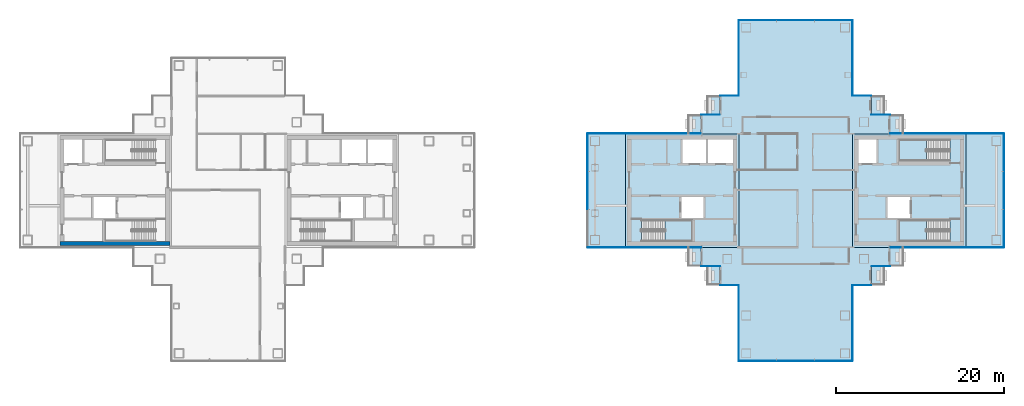
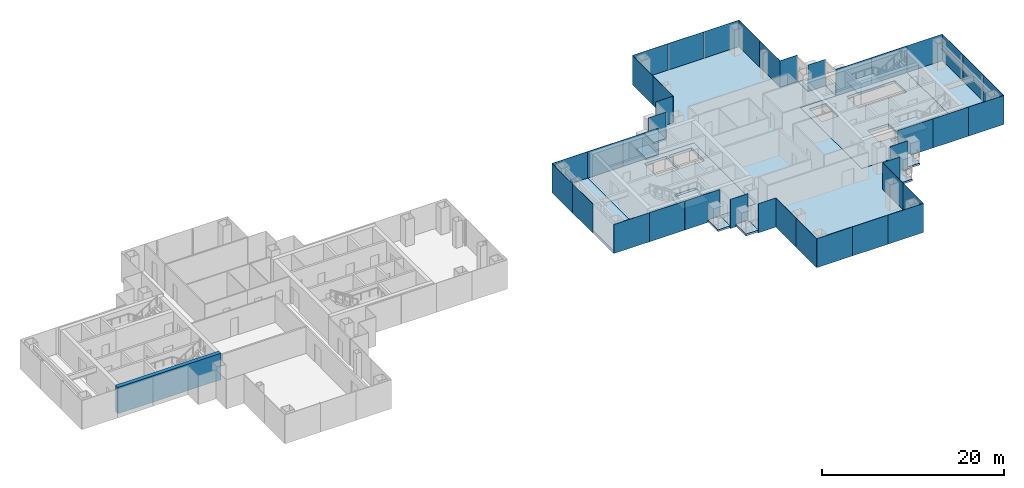
# One storey, part 8 of 16: 39 plates, 16 slabs, 1 wall, 23 elements without a shape of their own.
"""IFC4 building model written with IfcOpenShell, lengths in metres."""

from ifc_helpers import new_model, si_unit, direction, frame, frame_2d, origin, origin_2d, place, context, subcontext, project, spatial, polyline, rectangle, outline, extrude, material, layer, layer_set, type_object, element, aggregate, save


model = new_model("IFC4")

# Units and contexts
model_context = context("Model", 3, precision=1e-05, world=origin(), true_north=direction((0.0, 1.0)))
body_context = subcontext(model_context, "Body", "Model", "MODEL_VIEW")
ifc_project = project(units=[si_unit("LENGTHUNIT", "METRE"), si_unit("AREAUNIT", "SQUARE_METRE"), si_unit("VOLUMEUNIT", "CUBIC_METRE"), si_unit("PLANEANGLEUNIT", "RADIAN"), si_unit("MASSUNIT", "GRAM", prefix="KILO")], contexts=[model_context])

# Site, building, storey
site_placement = place(None, origin())
site = spatial("IfcSite", under=ifc_project, at=site_placement, CompositionType="ELEMENT")
building_placement = place(site_placement, origin())
building = spatial("IfcBuilding", under=site, at=building_placement, Name="Shamsa Quay Exchange Towers", CompositionType="ELEMENT")
storey_placement = place(building_placement, frame((0.0, 0.0, 138.89990234375)))
storey = spatial("IfcBuildingStorey", under=building, at=storey_placement, Name="L32", CompositionType="ELEMENT", Elevation=138.89990234375)

# Slabs
ifc_material_1 = material(Name="Precast concrete C40/50", Category="concrete")
ifc_layer_1 = layer(ifc_material_1, 0.25)
ifc_layer_set_1 = layer_set([ifc_layer_1], Name="BALCONY SLAB 250")
slab_type_1 = type_object("IfcSlabType", Name="BALCONY SLAB 250", PredefinedType="FLOOR", material=ifc_layer_set_1)
slab_1_placement = place(storey_placement, frame((0.0, 0.0, -0.25)))
element("IfcSlab", 1, at=slab_1_placement, inside=storey, type_object=slab_type_1, Name="Balcony T2-PKEN L32", PredefinedType="FLOOR", context=body_context, shape_type="SweptSolid", body=[
    extrude(outline(polyline([(24.75, 11.25), (24.75, 9.0380859375), (23.199951171875, 9.0380859375), (23.199951171875, 11.25), (24.75, 11.25)])), origin(), (0.0, 0.0, 1.0), 0.25),
])
slab_2_placement = place(storey_placement, frame((0.0, 0.0, -0.25)))
element("IfcSlab", 2, at=slab_2_placement, inside=storey, type_object=slab_type_1, Name="Balcony T2-PKEN L32", PredefinedType="FLOOR", context=body_context, shape_type="SweptSolid", body=[
    extrude(outline(polyline([(22.5, 9.0), (22.5, 6.7880859375), (20.949951171875, 6.7880859375), (20.949951171875, 9.0), (22.5, 9.0)])), origin(), (0.0, 0.0, 1.0), 0.25),
])
slab_3_placement = place(storey_placement, frame((0.0, 0.0, -0.25)))
element("IfcSlab", 3, at=slab_3_placement, inside=storey, type_object=slab_type_1, Name="Balcony T2-PKES L32", PredefinedType="FLOOR", context=body_context, shape_type="SweptSolid", body=[
    extrude(outline(polyline([(42.75, 9.0380859375), (42.75, 11.25), (44.300048828125, 11.25), (44.300048828125, 9.0380859375), (42.75, 9.0380859375)])), origin(), (0.0, 0.0, 1.0), 0.25),
])
slab_4_placement = place(storey_placement, frame((0.0, 0.0, -0.25)))
element("IfcSlab", 4, at=slab_4_placement, inside=storey, type_object=slab_type_1, Name="Balcony T2-PKES L32", PredefinedType="FLOOR", context=body_context, shape_type="SweptSolid", body=[
    extrude(outline(polyline([(45.0, 6.7880859375), (45.0, 9.0), (46.550048828125, 9.0), (46.550048828125, 6.7880859375), (45.0, 6.7880859375)])), origin(), (0.0, 0.0, 1.0), 0.25),
])
slab_5_placement = place(storey_placement, frame((0.0, 0.0, -0.25)))
element("IfcSlab", 5, at=slab_5_placement, inside=storey, type_object=slab_type_1, Name="Balcony T2-PKWN L32", PredefinedType="FLOOR", context=body_context, shape_type="SweptSolid", body=[
    extrude(outline(polyline([(22.5, -6.7880859375), (22.5, -9.0), (20.949951171875, -9.0), (20.949951171875, -6.7880859375), (22.5, -6.7880859375)])), origin(), (0.0, 0.0, 1.0), 0.25),
])
slab_6_placement = place(storey_placement, frame((0.0, 0.0, -0.25)))
element("IfcSlab", 6, at=slab_6_placement, inside=storey, type_object=slab_type_1, Name="Balcony T2-PKWN L32", PredefinedType="FLOOR", context=body_context, shape_type="SweptSolid", body=[
    extrude(outline(polyline([(24.75, -9.0380859375), (24.75, -11.25), (23.199951171875, -11.25), (23.199951171875, -9.0380859375), (24.75, -9.0380859375)])), origin(), (0.0, 0.0, 1.0), 0.25),
])
slab_7_placement = place(storey_placement, frame((0.0, 0.0, -0.25)))
element("IfcSlab", 7, at=slab_7_placement, inside=storey, type_object=slab_type_1, Name="Balcony T2-PKWS L32", PredefinedType="FLOOR", context=body_context, shape_type="SweptSolid", body=[
    extrude(outline(polyline([(42.75, -11.25), (42.75, -9.0380859375), (44.300048828125, -9.0380859375), (44.300048828125, -11.25), (42.75, -11.25)])), origin(), (0.0, 0.0, 1.0), 0.25),
])
slab_8_placement = place(storey_placement, frame((0.0, 0.0, -0.25)))
element("IfcSlab", 8, at=slab_8_placement, inside=storey, type_object=slab_type_1, Name="Balcony T2-PKWS L32", PredefinedType="FLOOR", context=body_context, shape_type="SweptSolid", body=[
    extrude(outline(polyline([(45.0, -9.0), (45.0, -6.7880859375), (46.550048828125, -6.7880859375), (46.550048828125, -9.0), (45.0, -9.0)])), origin(), (0.0, 0.0, 1.0), 0.25),
])
ifc_material_2 = material(Name="Concrete C50/60", Category="concrete")
ifc_layer_2 = layer(ifc_material_2, 0.35009765625)
ifc_layer_set_2 = layer_set([ifc_layer_2], Name="CORE FLOOR 350 C50/60")
slab_type_2 = type_object("IfcSlabType", Name="CORE FLOOR 350 C50/60", PredefinedType="FLOOR", material=ifc_layer_set_2)
slab_9_placement = place(storey_placement, frame((0.0, 0.0, -0.349853515625)))
element("IfcSlab", 9, at=slab_9_placement, inside=storey, type_object=slab_type_2, Name="Core floor T2A", PredefinedType="FLOOR", context=body_context, shape_type="SweptSolid", body=[
    extrude(outline(polyline([(13.5, -6.75), (27.0, -6.75), (27.0, 6.75), (13.5, 6.75), (13.5, -6.75)]), holes=[polyline([(15.400634765625, -6.050048828125), (15.400634765625, -3.5), (21.5, -3.5), (21.5, -6.050048828125), (15.400634765625, -6.050048828125)]), polyline([(20.300048828125, 3.25), (20.300048828125, 6.050048828125), (23.10009765625, 6.050048828125), (23.10009765625, 3.25), (20.300048828125, 3.25)]), polyline([(23.35009765625, 3.25), (23.35009765625, 6.050048828125), (26.300048828125, 6.050048828125), (26.300048828125, 3.25), (23.35009765625, 3.25)]), polyline([(20.14990234375, -3.25), (20.14990234375, -0.75), (22.800048828125, -0.75), (22.800048828125, -3.25), (20.14990234375, -3.25)])]), origin(), (0.0, 0.0, 1.0), 0.349853515625),
])
slab_10_placement = place(storey_placement, frame((0.0, 0.0, -0.349853515625)))
element("IfcSlab", 10, at=slab_10_placement, inside=storey, type_object=slab_type_2, Name="Core floor T2B", PredefinedType="FLOOR", context=body_context, shape_type="SweptSolid", body=[
    extrude(outline(polyline([(54.0, -6.75), (54.0, 6.75), (40.5, 6.75), (40.5, -6.75), (54.0, -6.75)]), holes=[polyline([(52.099365234375, -3.5), (52.099365234375, -6.050048828125), (46.0, -6.050048828125), (46.0, -3.5), (52.099365234375, -3.5)]), polyline([(52.099365234375, 6.050048828125), (52.099365234375, 3.5), (46.0, 3.5), (46.0, 6.050048828125), (52.099365234375, 6.050048828125)]), polyline([(43.35009765625, 3.25), (41.199951171875, 3.25), (41.199951171875, 6.050048828125), (43.35009765625, 6.050048828125), (43.35009765625, 3.25)]), polyline([(47.35009765625, -3.25), (44.699951171875, -3.25), (44.699951171875, -0.75), (47.35009765625, -0.75), (47.35009765625, -3.25)])]), origin(), (0.0, 0.0, 1.0), 0.349853515625),
])

# Stair, slab
ifc_material_3 = material(Name="Concrete C40/50", Category="concrete")
stair_type = type_object("IfcStairType", Name="EXIT STAIR 22 RISERS 177 MM", PredefinedType="HALF_TURN_STAIR", material=ifc_material_3)
stair_1_placement = place(storey_placement, origin())
stair_1 = element("IfcStair", 11, at=stair_1_placement, inside=storey, type_object=stair_type, Name="L32 Exit stair ST4", PredefinedType="HALF_TURN_STAIR")
ifc_layer_3 = layer(ifc_material_3, 0.199951171875)
ifc_layer_set_3 = layer_set([ifc_layer_3], Name="CORE STAIR LANDING")
slab_type_3 = type_object("IfcSlabType", Name="CORE STAIR LANDING", PredefinedType="LANDING", material=ifc_layer_set_3)
slab_11_placement = place(storey_placement, frame((0.0, 0.0, 1.75)))
slab_11 = element("IfcSlab", 12, at=slab_11_placement, type_object=slab_type_3, Name="ST4 landing 1", PredefinedType="LANDING", context=body_context, shape_type="SweptSolid", body=[
    extrude(outline(polyline([(18.199951171875, -6.050048828125), (21.5, -6.050048828125), (21.5, -3.5), (18.199951171875, -3.5), (18.199951171875, -6.050048828125)])), origin(), (0.0, 0.0, 1.0), 0.2001953125),
])
aggregate(stair_1, [slab_11])

stair_2_placement = place(storey_placement, origin())
stair_2 = element("IfcStair", 13, at=stair_2_placement, inside=storey, type_object=stair_type, Name="L32 Exit stair ST5", PredefinedType="HALF_TURN_STAIR")
slab_12_placement = place(storey_placement, frame((0.0, 0.0, 1.75)))
slab_12 = element("IfcSlab", 14, at=slab_12_placement, type_object=slab_type_3, Name="ST5 landing 1", PredefinedType="LANDING", context=body_context, shape_type="SweptSolid", body=[
    extrude(outline(polyline([(49.300048828125, -3.5), (46.0, -3.5), (46.0, -6.050048828125), (49.300048828125, -6.050048828125), (49.300048828125, -3.5)])), origin(), (0.0, 0.0, 1.0), 0.2001953125),
])
aggregate(stair_2, [slab_12])

stair_3_placement = place(storey_placement, origin())
stair_3 = element("IfcStair", 15, at=stair_3_placement, inside=storey, type_object=stair_type, Name="L32 Exit stair ST6", PredefinedType="HALF_TURN_STAIR")
slab_13_placement = place(storey_placement, frame((0.0, 0.0, 1.75)))
slab_13 = element("IfcSlab", 16, at=slab_13_placement, type_object=slab_type_3, Name="ST6 landing 1", PredefinedType="LANDING", context=body_context, shape_type="SweptSolid", body=[
    extrude(outline(polyline([(49.300048828125, 6.050048828125), (46.0, 6.050048828125), (46.0, 3.5), (49.300048828125, 3.5), (49.300048828125, 6.050048828125)])), origin(), (0.0, 0.0, 1.0), 0.2001953125),
])
aggregate(stair_3, [slab_13])

# Curtain wall, plate
ifc_material_4 = material(Name="Aluminium EN AW-6063 T6, black anodised", Category="aluminium")
ifc_layer_4 = layer(ifc_material_4, 0.280029296875)
ifc_layer_set_4 = layer_set([ifc_layer_4], Name="CW-1 UNITISED VISION GLASS")
curtain_wall_type_1 = type_object("IfcCurtainWallType", Name="CW-1 UNITISED VISION GLASS", PredefinedType="NOTDEFINED", material=ifc_layer_set_4)
curtain_wall_1_placement = place(storey_placement, origin())
curtain_wall_1 = element("IfcCurtainWall", 17, at=curtain_wall_1_placement, inside=storey, type_object=curtain_wall_type_1, Name="CW1 T2-FLK-V-W L32", PredefinedType="NOTDEFINED")
ifc_material_5 = material(Name="Glass, laminated, dark tinted", Category="glass")
ifc_layer_5 = layer(ifc_material_5, 0.0400390625)
ifc_layer_set_5 = layer_set([ifc_layer_5], Name="CW-1 VISION GLASS 40")
plate_type_1 = type_object("IfcPlateType", Name="CW-1 VISION GLASS 40", PredefinedType="CURTAIN_PANEL", material=ifc_layer_set_5)
plate_1_placement = place(storey_placement, frame((56.25, -6.77001953125, -0.349853515625)))
plate_1 = element("IfcPlate", 18, at=plate_1_placement, type_object=plate_type_1, Name="CW1 glass panel", PredefinedType="CURTAIN_PANEL", context=body_context, shape_type="SweptSolid", body=[
    extrude(rectangle(XDim=4.5, YDim=0.0400390625, at=origin_2d()), origin(), (0.0, 0.0, 1.0), 3.89990234375),
])
aggregate(curtain_wall_1, [plate_1])

# Curtain wall, plates
curtain_wall_2_placement = place(storey_placement, origin())
curtain_wall_2 = element("IfcCurtainWall", 19, at=curtain_wall_2_placement, inside=storey, type_object=curtain_wall_type_1, Name="CW1 T2-END-V- L32", PredefinedType="NOTDEFINED")
plate_2_placement = place(storey_placement, frame((58.52001953125, -4.50244140625, -0.349853515625), z_axis=(0.0, 0.0, 1.0), x_axis=(0.0, 1.0, 0.0)))
plate_2 = element("IfcPlate", 20, at=plate_2_placement, type_object=plate_type_1, Name="CW1 glass panel", PredefinedType="CURTAIN_PANEL", context=body_context, shape_type="SweptSolid", body=[
    extrude(rectangle(XDim=4.4951171875, YDim=0.0400390625, at=origin_2d()), origin(), (0.0, 0.0, 1.0), 3.89990234375),
])
plate_3_placement = place(storey_placement, frame((58.52001953125, 0.0, -0.349853515625), z_axis=(0.0, 0.0, 1.0), x_axis=(0.0, 1.0, 0.0)))
plate_3 = element("IfcPlate", 21, at=plate_3_placement, type_object=plate_type_1, Name="CW1 glass panel", PredefinedType="CURTAIN_PANEL", context=body_context, shape_type="SweptSolid", body=[
    extrude(rectangle(XDim=4.489990234375, YDim=0.0400390625, at=origin_2d()), origin(), (0.0, 0.0, 1.0), 3.89990234375),
])
plate_4_placement = place(storey_placement, frame((58.52001953125, 4.50244140625, -0.349853515625), z_axis=(0.0, 0.0, 1.0), x_axis=(0.0, 1.0, 0.0)))
plate_4 = element("IfcPlate", 22, at=plate_4_placement, type_object=plate_type_1, Name="CW1 glass panel", PredefinedType="CURTAIN_PANEL", context=body_context, shape_type="SweptSolid", body=[
    extrude(rectangle(XDim=4.4951171875, YDim=0.0400390625, at=origin_2d()), origin(), (0.0, 0.0, 1.0), 3.89990234375),
])
aggregate(curtain_wall_2, [plate_2, plate_3, plate_4])

# Curtain wall, plate
curtain_wall_3_placement = place(storey_placement, origin())
curtain_wall_3 = element("IfcCurtainWall", 23, at=curtain_wall_3_placement, inside=storey, type_object=curtain_wall_type_1, Name="CW1 T2-FLK-V-E L32", PredefinedType="NOTDEFINED")
plate_5_placement = place(storey_placement, frame((56.25, 6.77001953125, -0.349853515625), z_axis=(0.0, 0.0, 1.0), x_axis=(-1.0, 0.0, 0.0)))
plate_5 = element("IfcPlate", 24, at=plate_5_placement, type_object=plate_type_1, Name="CW1 glass panel", PredefinedType="CURTAIN_PANEL", context=body_context, shape_type="SweptSolid", body=[
    extrude(rectangle(XDim=4.5, YDim=0.0400390625, at=origin_2d()), origin(), (0.0, 0.0, 1.0), 3.89990234375),
])
aggregate(curtain_wall_3, [plate_5])

# Curtain wall, plates
curtain_wall_4_placement = place(storey_placement, origin())
curtain_wall_4 = element("IfcCurtainWall", 25, at=curtain_wall_4_placement, inside=storey, type_object=curtain_wall_type_1, Name="CW1 T2-FLK-U+S L32", PredefinedType="NOTDEFINED")
plate_6_placement = place(storey_placement, frame((40.52001953125, 13.52587890625, -0.349853515625), z_axis=(0.0, 0.0, 1.0), x_axis=(0.0, 1.0, 0.0)))
plate_6 = element("IfcPlate", 26, at=plate_6_placement, type_object=plate_type_1, Name="CW1 glass panel", PredefinedType="CURTAIN_PANEL", context=body_context, shape_type="SweptSolid", body=[
    extrude(rectangle(XDim=4.47607421875, YDim=0.0400390625, at=origin_2d()), origin(), (0.0, 0.0, 1.0), 3.89990234375),
])
plate_7_placement = place(storey_placement, frame((40.52001953125, 18.011962890625, -0.349853515625), z_axis=(0.0, 0.0, 1.0), x_axis=(0.0, 1.0, 0.0)))
plate_7 = element("IfcPlate", 27, at=plate_7_placement, type_object=plate_type_1, Name="CW1 glass panel", PredefinedType="CURTAIN_PANEL", context=body_context, shape_type="SweptSolid", body=[
    extrude(rectangle(XDim=4.47607421875, YDim=0.0400390625, at=origin_2d()), origin(), (0.0, 0.0, 1.0), 3.89990234375),
])
aggregate(curtain_wall_4, [plate_6, plate_7])

curtain_wall_5_placement = place(storey_placement, origin())
curtain_wall_5 = element("IfcCurtainWall", 28, at=curtain_wall_5_placement, inside=storey, type_object=curtain_wall_type_1, Name="CW1 T2-END-U+ L32", PredefinedType="NOTDEFINED")
plate_8_placement = place(storey_placement, frame((38.25244140625, 20.27001953125, -0.349853515625), z_axis=(0.0, 0.0, 1.0), x_axis=(-1.0, 0.0, 0.0)))
plate_8 = element("IfcPlate", 29, at=plate_8_placement, type_object=plate_type_1, Name="CW1 glass panel", PredefinedType="CURTAIN_PANEL", context=body_context, shape_type="SweptSolid", body=[
    extrude(rectangle(XDim=4.4951171875, YDim=0.0400390625, at=origin_2d()), origin(), (0.0, 0.0, 1.0), 3.89990234375),
])
plate_9_placement = place(storey_placement, frame((33.75, 20.27001953125, -0.349853515625), z_axis=(0.0, 0.0, 1.0), x_axis=(-1.0, 0.0, 0.0)))
plate_9 = element("IfcPlate", 30, at=plate_9_placement, type_object=plate_type_1, Name="CW1 glass panel", PredefinedType="CURTAIN_PANEL", context=body_context, shape_type="SweptSolid", body=[
    extrude(rectangle(XDim=4.489990234375, YDim=0.0400390625, at=origin_2d()), origin(), (0.0, 0.0, 1.0), 3.89990234375),
])
plate_10_placement = place(storey_placement, frame((29.24755859375, 20.27001953125, -0.349853515625), z_axis=(0.0, 0.0, 1.0), x_axis=(-1.0, 0.0, 0.0)))
plate_10 = element("IfcPlate", 31, at=plate_10_placement, type_object=plate_type_1, Name="CW1 glass panel", PredefinedType="CURTAIN_PANEL", context=body_context, shape_type="SweptSolid", body=[
    extrude(rectangle(XDim=4.4951171875, YDim=0.0400390625, at=origin_2d()), origin(), (0.0, 0.0, 1.0), 3.89990234375),
])
aggregate(curtain_wall_5, [plate_8, plate_9, plate_10])

curtain_wall_6_placement = place(storey_placement, origin())
curtain_wall_6 = element("IfcCurtainWall", 32, at=curtain_wall_6_placement, inside=storey, type_object=curtain_wall_type_1, Name="CW1 T2-FLK-U+N L32", PredefinedType="NOTDEFINED")
plate_11_placement = place(storey_placement, frame((26.97998046875, 18.00244140625, -0.349853515625), z_axis=(0.0, 0.0, 1.0), x_axis=(0.0, -1.0, 0.0)))
plate_11 = element("IfcPlate", 33, at=plate_11_placement, type_object=plate_type_1, Name="CW1 glass panel", PredefinedType="CURTAIN_PANEL", context=body_context, shape_type="SweptSolid", body=[
    extrude(rectangle(XDim=4.4951171875, YDim=0.0400390625, at=origin_2d()), origin(), (0.0, 0.0, 1.0), 3.89990234375),
])
plate_12_placement = place(storey_placement, frame((26.97998046875, 13.49755859375, -0.349853515625), z_axis=(0.0, 0.0, 1.0), x_axis=(0.0, -1.0, 0.0)))
plate_12 = element("IfcPlate", 34, at=plate_12_placement, type_object=plate_type_1, Name="CW1 glass panel", PredefinedType="CURTAIN_PANEL", context=body_context, shape_type="SweptSolid", body=[
    extrude(rectangle(XDim=4.4951171875, YDim=0.0400390625, at=origin_2d()), origin(), (0.0, 0.0, 1.0), 3.89990234375),
])
aggregate(curtain_wall_6, [plate_11, plate_12])

# Curtain wall, plate
curtain_wall_7_placement = place(storey_placement, origin())
curtain_wall_7 = element("IfcCurtainWall", 35, at=curtain_wall_7_placement, inside=storey, type_object=curtain_wall_type_1, Name="CW1 T2-FLK-V+E L32", PredefinedType="NOTDEFINED")
plate_13_placement = place(storey_placement, frame((11.25, 6.77001953125, -0.349853515625), z_axis=(0.0, 0.0, 1.0), x_axis=(-1.0, 0.0, 0.0)))
plate_13 = element("IfcPlate", 36, at=plate_13_placement, type_object=plate_type_1, Name="CW1 glass panel", PredefinedType="CURTAIN_PANEL", context=body_context, shape_type="SweptSolid", body=[
    extrude(rectangle(XDim=4.5, YDim=0.0400390625, at=origin_2d()), origin(), (0.0, 0.0, 1.0), 3.89990234375),
])
aggregate(curtain_wall_7, [plate_13])

# Curtain wall, plates
curtain_wall_8_placement = place(storey_placement, origin())
curtain_wall_8 = element("IfcCurtainWall", 37, at=curtain_wall_8_placement, inside=storey, type_object=curtain_wall_type_1, Name="CW1 T2-END-V+ L32", PredefinedType="NOTDEFINED")
plate_14_placement = place(storey_placement, frame((8.97998046875, 4.50244140625, -0.349853515625), z_axis=(0.0, 0.0, 1.0), x_axis=(0.0, -1.0, 0.0)))
plate_14 = element("IfcPlate", 38, at=plate_14_placement, type_object=plate_type_1, Name="CW1 glass panel", PredefinedType="CURTAIN_PANEL", context=body_context, shape_type="SweptSolid", body=[
    extrude(rectangle(XDim=4.4951171875, YDim=0.0400390625, at=origin_2d()), origin(), (0.0, 0.0, 1.0), 3.89990234375),
])
plate_15_placement = place(storey_placement, frame((8.97998046875, 0.0, -0.349853515625), z_axis=(0.0, 0.0, 1.0), x_axis=(0.0, -1.0, 0.0)))
plate_15 = element("IfcPlate", 39, at=plate_15_placement, type_object=plate_type_1, Name="CW1 glass panel", PredefinedType="CURTAIN_PANEL", context=body_context, shape_type="SweptSolid", body=[
    extrude(rectangle(XDim=4.489990234375, YDim=0.0400390625, at=origin_2d()), origin(), (0.0, 0.0, 1.0), 3.89990234375),
])
aggregate(curtain_wall_8, [plate_14, plate_15])

# Curtain wall, plate
curtain_wall_9_placement = place(storey_placement, origin())
curtain_wall_9 = element("IfcCurtainWall", 40, at=curtain_wall_9_placement, inside=storey, type_object=curtain_wall_type_1, Name="CW1 T2-FLK-V+W L32", PredefinedType="NOTDEFINED")
plate_16_placement = place(storey_placement, frame((11.25, -6.77001953125, -0.349853515625)))
plate_16 = element("IfcPlate", 41, at=plate_16_placement, type_object=plate_type_1, Name="CW1 glass panel", PredefinedType="CURTAIN_PANEL", context=body_context, shape_type="SweptSolid", body=[
    extrude(rectangle(XDim=4.5, YDim=0.0400390625, at=origin_2d()), origin(), (0.0, 0.0, 1.0), 3.89990234375),
])
aggregate(curtain_wall_9, [plate_16])

# Curtain wall, plates
curtain_wall_10_placement = place(storey_placement, origin())
curtain_wall_10 = element("IfcCurtainWall", 42, at=curtain_wall_10_placement, inside=storey, type_object=curtain_wall_type_1, Name="CW1 T2-FLK-U-N L32", PredefinedType="NOTDEFINED")
plate_17_placement = place(storey_placement, frame((26.97998046875, -13.52587890625, -0.349853515625), z_axis=(0.0, 0.0, 1.0), x_axis=(0.0, -1.0, 0.0)))
plate_17 = element("IfcPlate", 43, at=plate_17_placement, type_object=plate_type_1, Name="CW1 glass panel", PredefinedType="CURTAIN_PANEL", context=body_context, shape_type="SweptSolid", body=[
    extrude(rectangle(XDim=4.47607421875, YDim=0.0400390625, at=origin_2d()), origin(), (0.0, 0.0, 1.0), 3.89990234375),
])
plate_18_placement = place(storey_placement, frame((26.97998046875, -18.011962890625, -0.349853515625), z_axis=(0.0, 0.0, 1.0), x_axis=(0.0, -1.0, 0.0)))
plate_18 = element("IfcPlate", 44, at=plate_18_placement, type_object=plate_type_1, Name="CW1 glass panel", PredefinedType="CURTAIN_PANEL", context=body_context, shape_type="SweptSolid", body=[
    extrude(rectangle(XDim=4.47607421875, YDim=0.0400390625, at=origin_2d()), origin(), (0.0, 0.0, 1.0), 3.89990234375),
])
aggregate(curtain_wall_10, [plate_17, plate_18])

curtain_wall_11_placement = place(storey_placement, origin())
curtain_wall_11 = element("IfcCurtainWall", 45, at=curtain_wall_11_placement, inside=storey, type_object=curtain_wall_type_1, Name="CW1 T2-END-U- L32", PredefinedType="NOTDEFINED")
plate_19_placement = place(storey_placement, frame((29.24755859375, -20.27001953125, -0.349853515625)))
plate_19 = element("IfcPlate", 46, at=plate_19_placement, type_object=plate_type_1, Name="CW1 glass panel", PredefinedType="CURTAIN_PANEL", context=body_context, shape_type="SweptSolid", body=[
    extrude(rectangle(XDim=4.4951171875, YDim=0.0400390625, at=origin_2d()), origin(), (0.0, 0.0, 1.0), 3.89990234375),
])
plate_20_placement = place(storey_placement, frame((33.75, -20.27001953125, -0.349853515625)))
plate_20 = element("IfcPlate", 47, at=plate_20_placement, type_object=plate_type_1, Name="CW1 glass panel", PredefinedType="CURTAIN_PANEL", context=body_context, shape_type="SweptSolid", body=[
    extrude(rectangle(XDim=4.489990234375, YDim=0.0400390625, at=origin_2d()), origin(), (0.0, 0.0, 1.0), 3.89990234375),
])
plate_21_placement = place(storey_placement, frame((38.25244140625, -20.27001953125, -0.349853515625)))
plate_21 = element("IfcPlate", 48, at=plate_21_placement, type_object=plate_type_1, Name="CW1 glass panel", PredefinedType="CURTAIN_PANEL", context=body_context, shape_type="SweptSolid", body=[
    extrude(rectangle(XDim=4.4951171875, YDim=0.0400390625, at=origin_2d()), origin(), (0.0, 0.0, 1.0), 3.89990234375),
])
aggregate(curtain_wall_11, [plate_19, plate_20, plate_21])

curtain_wall_12_placement = place(storey_placement, origin())
curtain_wall_12 = element("IfcCurtainWall", 49, at=curtain_wall_12_placement, inside=storey, type_object=curtain_wall_type_1, Name="CW1 T2-FLK-U-S L32", PredefinedType="NOTDEFINED")
plate_22_placement = place(storey_placement, frame((40.52001953125, -18.00244140625, -0.349853515625), z_axis=(0.0, 0.0, 1.0), x_axis=(0.0, 1.0, 0.0)))
plate_22 = element("IfcPlate", 50, at=plate_22_placement, type_object=plate_type_1, Name="CW1 glass panel", PredefinedType="CURTAIN_PANEL", context=body_context, shape_type="SweptSolid", body=[
    extrude(rectangle(XDim=4.4951171875, YDim=0.0400390625, at=origin_2d()), origin(), (0.0, 0.0, 1.0), 3.89990234375),
])
plate_23_placement = place(storey_placement, frame((40.52001953125, -13.49755859375, -0.349853515625), z_axis=(0.0, 0.0, 1.0), x_axis=(0.0, 1.0, 0.0)))
plate_23 = element("IfcPlate", 51, at=plate_23_placement, type_object=plate_type_1, Name="CW1 glass panel", PredefinedType="CURTAIN_PANEL", context=body_context, shape_type="SweptSolid", body=[
    extrude(rectangle(XDim=4.4951171875, YDim=0.0400390625, at=origin_2d()), origin(), (0.0, 0.0, 1.0), 3.89990234375),
])
aggregate(curtain_wall_12, [plate_22, plate_23])

ifc_layer_6 = layer(ifc_material_4, 0.303955078125)
ifc_layer_set_6 = layer_set([ifc_layer_6], Name="CW-2 UNITISED OPAQUE SPANDREL GLASS")
curtain_wall_type_2 = type_object("IfcCurtainWallType", Name="CW-2 UNITISED OPAQUE SPANDREL GLASS", PredefinedType="NOTDEFINED", material=ifc_layer_set_6)
curtain_wall_13_placement = place(storey_placement, origin())
curtain_wall_13 = element("IfcCurtainWall", 52, at=curtain_wall_13_placement, inside=storey, type_object=curtain_wall_type_2, Name="CW2 T2-FLK-V-W L32", PredefinedType="NOTDEFINED")
ifc_material_6 = material(Name="Glass, laminated, black enamelled opaque", Category="glass")
ifc_layer_7 = layer(ifc_material_6, 0.0439453125)
ifc_layer_set_7 = layer_set([ifc_layer_7], Name="CW-2 SPANDREL GLASS 44")
plate_type_2 = type_object("IfcPlateType", Name="CW-2 SPANDREL GLASS 44", PredefinedType="CURTAIN_PANEL", material=ifc_layer_set_7)
plate_24_placement = place(storey_placement, frame((47.27587890625, -6.77197265625, -0.349853515625)))
plate_24 = element("IfcPlate", 53, at=plate_24_placement, type_object=plate_type_2, Name="CW2 glass panel", PredefinedType="CURTAIN_PANEL", context=body_context, shape_type="SweptSolid", body=[
    extrude(rectangle(XDim=4.47607421875, YDim=0.0439453125, at=origin_2d()), origin(), (0.0, 0.0, 1.0), 3.89990234375),
])
plate_25_placement = place(storey_placement, frame((51.761962890625, -6.77197265625, -0.349853515625)))
plate_25 = element("IfcPlate", 54, at=plate_25_placement, type_object=plate_type_2, Name="CW2 glass panel", PredefinedType="CURTAIN_PANEL", context=body_context, shape_type="SweptSolid", body=[
    extrude(rectangle(XDim=4.47607421875, YDim=0.0439453125, at=origin_2d()), origin(), (0.0, 0.0, 1.0), 3.89990234375),
])
aggregate(curtain_wall_13, [plate_24, plate_25])

curtain_wall_14_placement = place(storey_placement, origin())
curtain_wall_14 = element("IfcCurtainWall", 55, at=curtain_wall_14_placement, inside=storey, type_object=curtain_wall_type_2, Name="CW2 T2-FLK-V-E L32", PredefinedType="NOTDEFINED")
plate_26_placement = place(storey_placement, frame((51.75244140625, 6.77197265625, -0.349853515625), z_axis=(0.0, 0.0, 1.0), x_axis=(-1.0, 0.0, 0.0)))
plate_26 = element("IfcPlate", 56, at=plate_26_placement, type_object=plate_type_2, Name="CW2 glass panel", PredefinedType="CURTAIN_PANEL", context=body_context, shape_type="SweptSolid", body=[
    extrude(rectangle(XDim=4.4951171875, YDim=0.0439453125, at=origin_2d()), origin(), (0.0, 0.0, 1.0), 3.89990234375),
])
plate_27_placement = place(storey_placement, frame((47.24755859375, 6.77197265625, -0.349853515625), z_axis=(0.0, 0.0, 1.0), x_axis=(-1.0, 0.0, 0.0)))
plate_27 = element("IfcPlate", 57, at=plate_27_placement, type_object=plate_type_2, Name="CW2 glass panel", PredefinedType="CURTAIN_PANEL", context=body_context, shape_type="SweptSolid", body=[
    extrude(rectangle(XDim=4.4951171875, YDim=0.0439453125, at=origin_2d()), origin(), (0.0, 0.0, 1.0), 3.89990234375),
])
aggregate(curtain_wall_14, [plate_26, plate_27])

curtain_wall_15_placement = place(storey_placement, origin())
curtain_wall_15 = element("IfcCurtainWall", 58, at=curtain_wall_15_placement, inside=storey, type_object=curtain_wall_type_2, Name="CW2 T2-FLK-V+E L32", PredefinedType="NOTDEFINED")
plate_28_placement = place(storey_placement, frame((20.22412109375, 6.77197265625, -0.349853515625), z_axis=(0.0, 0.0, 1.0), x_axis=(-1.0, 0.0, 0.0)))
plate_28 = element("IfcPlate", 59, at=plate_28_placement, type_object=plate_type_2, Name="CW2 glass panel", PredefinedType="CURTAIN_PANEL", context=body_context, shape_type="SweptSolid", body=[
    extrude(rectangle(XDim=4.47607421875, YDim=0.0439453125, at=origin_2d()), origin(), (0.0, 0.0, 1.0), 3.89990234375),
])
plate_29_placement = place(storey_placement, frame((15.738037109375, 6.77197265625, -0.349853515625), z_axis=(0.0, 0.0, 1.0), x_axis=(-1.0, 0.0, 0.0)))
plate_29 = element("IfcPlate", 60, at=plate_29_placement, type_object=plate_type_2, Name="CW2 glass panel", PredefinedType="CURTAIN_PANEL", context=body_context, shape_type="SweptSolid", body=[
    extrude(rectangle(XDim=4.47607421875, YDim=0.0439453125, at=origin_2d()), origin(), (0.0, 0.0, 1.0), 3.89990234375),
])
aggregate(curtain_wall_15, [plate_28, plate_29])

curtain_wall_16_placement = place(storey_placement, origin())
curtain_wall_16 = element("IfcCurtainWall", 61, at=curtain_wall_16_placement, inside=storey, type_object=curtain_wall_type_2, Name="CW2 T2-FLK-V+W L32", PredefinedType="NOTDEFINED")
plate_30_placement = place(storey_placement, frame((15.74755859375, -6.77197265625, -0.349853515625)))
plate_30 = element("IfcPlate", 62, at=plate_30_placement, type_object=plate_type_2, Name="CW2 glass panel", PredefinedType="CURTAIN_PANEL", context=body_context, shape_type="SweptSolid", body=[
    extrude(rectangle(XDim=4.4951171875, YDim=0.0439453125, at=origin_2d()), origin(), (0.0, 0.0, 1.0), 3.89990234375),
])
plate_31_placement = place(storey_placement, frame((20.25244140625, -6.77197265625, -0.349853515625)))
plate_31 = element("IfcPlate", 63, at=plate_31_placement, type_object=plate_type_2, Name="CW2 glass panel", PredefinedType="CURTAIN_PANEL", context=body_context, shape_type="SweptSolid", body=[
    extrude(rectangle(XDim=4.4951171875, YDim=0.0439453125, at=origin_2d()), origin(), (0.0, 0.0, 1.0), 3.89990234375),
])
aggregate(curtain_wall_16, [plate_30, plate_31])

ifc_layer_8 = layer(ifc_material_4, 0.256103515625)
ifc_layer_set_8 = layer_set([ifc_layer_8], Name="CW-4 POCKET SERRATED GLAZING")
curtain_wall_type_3 = type_object("IfcCurtainWallType", Name="CW-4 POCKET SERRATED GLAZING", PredefinedType="NOTDEFINED", material=ifc_layer_set_8)
curtain_wall_17_placement = place(storey_placement, origin())
curtain_wall_17 = element("IfcCurtainWall", 64, at=curtain_wall_17_placement, inside=storey, type_object=curtain_wall_type_3, Name="CW4 PKWS L32", PredefinedType="NOTDEFINED")
ifc_layer_9 = layer(ifc_material_5, 0.035888671875)
ifc_layer_set_9 = layer_set([ifc_layer_9], Name="CW-4 POCKET GLASS 36")
plate_type_3 = type_object("IfcPlateType", Name="CW-4 POCKET GLASS 36", PredefinedType="CURTAIN_PANEL", material=ifc_layer_set_9)
plate_32_placement = place(storey_placement, frame((43.89404296875, -9.01806640625, -0.349853515625)))
plate_32 = element("IfcPlate", 65, at=plate_32_placement, type_object=plate_type_3, Name="CW4 glass panel", PredefinedType="CURTAIN_PANEL", context=body_context, shape_type="SweptSolid", body=[
    extrude(rectangle(XDim=2.2119140625, YDim=0.035888671875, at=origin_2d()), origin(), (0.0, 0.0, 1.0), 3.89990234375),
])
plate_33_placement = place(storey_placement, frame((41.64599609375, -11.26806640625, -0.349853515625)))
plate_33 = element("IfcPlate", 66, at=plate_33_placement, type_object=plate_type_3, Name="CW4 glass panel", PredefinedType="CURTAIN_PANEL", context=body_context, shape_type="SweptSolid", body=[
    extrude(rectangle(XDim=2.2080078125, YDim=0.035888671875, at=origin_2d()), origin(), (0.0, 0.0, 1.0), 3.89990234375),
])
aggregate(curtain_wall_17, [plate_32, plate_33])

curtain_wall_18_placement = place(storey_placement, origin())
curtain_wall_18 = element("IfcCurtainWall", 67, at=curtain_wall_18_placement, inside=storey, type_object=curtain_wall_type_3, Name="CW4 PKES L32", PredefinedType="NOTDEFINED")
plate_34_placement = place(storey_placement, frame((43.875, 9.01806640625, -0.349853515625), z_axis=(0.0, 0.0, 1.0), x_axis=(-1.0, 0.0, 0.0)))
plate_34 = element("IfcPlate", 68, at=plate_34_placement, type_object=plate_type_3, Name="CW4 glass panel", PredefinedType="CURTAIN_PANEL", context=body_context, shape_type="SweptSolid", body=[
    extrude(rectangle(XDim=2.25, YDim=0.035888671875, at=origin_2d()), origin(), (0.0, 0.0, 1.0), 3.89990234375),
])
plate_35_placement = place(storey_placement, frame((41.625, 11.26806640625, -0.349853515625), z_axis=(0.0, 0.0, 1.0), x_axis=(-1.0, 0.0, 0.0)))
plate_35 = element("IfcPlate", 69, at=plate_35_placement, type_object=plate_type_3, Name="CW4 glass panel", PredefinedType="CURTAIN_PANEL", context=body_context, shape_type="SweptSolid", body=[
    extrude(rectangle(XDim=2.25, YDim=0.035888671875, at=origin_2d()), origin(), (0.0, 0.0, 1.0), 3.89990234375),
])
aggregate(curtain_wall_18, [plate_34, plate_35])

curtain_wall_19_placement = place(storey_placement, origin())
curtain_wall_19 = element("IfcCurtainWall", 70, at=curtain_wall_19_placement, inside=storey, type_object=curtain_wall_type_3, Name="CW4 PKEN L32", PredefinedType="NOTDEFINED")
plate_36_placement = place(storey_placement, frame((25.85400390625, 11.26806640625, -0.349853515625), z_axis=(0.0, 0.0, 1.0), x_axis=(-1.0, 0.0, 0.0)))
plate_36 = element("IfcPlate", 71, at=plate_36_placement, type_object=plate_type_3, Name="CW4 glass panel", PredefinedType="CURTAIN_PANEL", context=body_context, shape_type="SweptSolid", body=[
    extrude(rectangle(XDim=2.2080078125, YDim=0.035888671875, at=origin_2d()), origin(), (0.0, 0.0, 1.0), 3.89990234375),
])
plate_37_placement = place(storey_placement, frame((23.60595703125, 9.01806640625, -0.349853515625), z_axis=(0.0, 0.0, 1.0), x_axis=(-1.0, 0.0, 0.0)))
plate_37 = element("IfcPlate", 72, at=plate_37_placement, type_object=plate_type_3, Name="CW4 glass panel", PredefinedType="CURTAIN_PANEL", context=body_context, shape_type="SweptSolid", body=[
    extrude(rectangle(XDim=2.2119140625, YDim=0.035888671875, at=origin_2d()), origin(), (0.0, 0.0, 1.0), 3.89990234375),
])
aggregate(curtain_wall_19, [plate_36, plate_37])

curtain_wall_20_placement = place(storey_placement, origin())
curtain_wall_20 = element("IfcCurtainWall", 73, at=curtain_wall_20_placement, inside=storey, type_object=curtain_wall_type_3, Name="CW4 PKWN L32", PredefinedType="NOTDEFINED")
plate_38_placement = place(storey_placement, frame((23.625, -9.01806640625, -0.349853515625)))
plate_38 = element("IfcPlate", 74, at=plate_38_placement, type_object=plate_type_3, Name="CW4 glass panel", PredefinedType="CURTAIN_PANEL", context=body_context, shape_type="SweptSolid", body=[
    extrude(rectangle(XDim=2.25, YDim=0.035888671875, at=origin_2d()), origin(), (0.0, 0.0, 1.0), 3.89990234375),
])
plate_39_placement = place(storey_placement, frame((25.875, -11.26806640625, -0.349853515625)))
plate_39 = element("IfcPlate", 75, at=plate_39_placement, type_object=plate_type_3, Name="CW4 glass panel", PredefinedType="CURTAIN_PANEL", context=body_context, shape_type="SweptSolid", body=[
    extrude(rectangle(XDim=2.25, YDim=0.035888671875, at=origin_2d()), origin(), (0.0, 0.0, 1.0), 3.89990234375),
])
aggregate(curtain_wall_20, [plate_38, plate_39])

# Slabs
ifc_layer_10 = layer(ifc_material_3, 0.35009765625)
ifc_layer_set_10 = layer_set([ifc_layer_10], Name="Flat slab 350")
slab_type_4 = type_object("IfcSlabType", Name="Flat slab 350", PredefinedType="FLOOR", material=ifc_layer_set_10)
slab_14_placement = place(storey_placement, frame((0.0, 0.0, -0.349853515625)))
element("IfcSlab", 76, at=slab_14_placement, inside=storey, type_object=slab_type_4, Name="Flat slab T2 L32 4", PredefinedType="FLOOR", context=body_context, shape_type="SweptSolid", body=[
    extrude(outline(polyline([(9.0, -6.75), (13.5, -6.75), (13.5, 6.75), (9.0, 6.75), (9.0, -6.75)])), origin(), (0.0, 0.0, 1.0), 0.349853515625),
])
slab_15_placement = place(storey_placement, frame((0.0, 0.0, -0.349853515625)))
element("IfcSlab", 77, at=slab_15_placement, inside=storey, type_object=slab_type_4, Name="Flat slab T2 L32 5", PredefinedType="FLOOR", context=body_context, shape_type="SweptSolid", body=[
    extrude(outline(polyline([(45.0, -9.0), (45.0, -6.75), (40.5, -6.75), (40.5, 6.75), (45.0, 6.75), (45.0, 9.0), (42.75, 9.0), (42.75, 11.25), (40.5, 11.25), (40.5, 20.25), (27.0, 20.25), (27.0, 11.25), (24.75, 11.25), (24.75, 9.0), (22.5, 9.0), (22.5, 6.75), (27.0, 6.75), (27.0, -6.75), (22.5, -6.75), (22.5, -9.0), (24.75, -9.0), (24.75, -11.25), (27.0, -11.25), (27.0, -20.25), (40.5, -20.25), (40.5, -11.25), (42.75, -11.25), (42.75, -9.0), (45.0, -9.0)])), origin(), (0.0, 0.0, 1.0), 0.349853515625),
])
slab_16_placement = place(storey_placement, frame((0.0, 0.0, -0.349853515625)))
element("IfcSlab", 78, at=slab_16_placement, inside=storey, type_object=slab_type_4, Name="Flat slab T2 L32 6", PredefinedType="FLOOR", context=body_context, shape_type="SweptSolid", body=[
    extrude(outline(polyline([(58.5, 6.75), (54.0, 6.75), (54.0, -6.75), (58.5, -6.75), (58.5, 6.75)])), origin(), (0.0, 0.0, 1.0), 0.349853515625),
])

# Wall
ifc_material_7 = material(Name="Concrete C60/75", Category="concrete")
ifc_layer_11 = layer(ifc_material_7, 0.5)
ifc_layer_set_11 = layer_set([ifc_layer_11], Name="CORE WALL 500 C60/75")
wall_type = type_object("IfcWallType", Name="CORE WALL 500 C60/75", PredefinedType="SHEAR", material=ifc_layer_set_11)
wall_placement = place(storey_placement, frame((-40.699951171875, -6.300048828125, 0.0), z_axis=(0.0, 0.0, 1.0), x_axis=(-1.0, 0.0, 0.0)))
element("IfcWall", 79, at=wall_placement, inside=storey, type_object=wall_type, Name="Core wall T1B-R14-PS", PredefinedType="SHEAR", context=body_context, shape_type="SweptSolid", body=[
    extrude(rectangle(XDim=13.10009765625, YDim=0.5, at=frame_2d((6.550048828125, 0.0))), origin(), (0.0, 0.0, 1.0), 3.550048828125),
])

save(model, "model.ifc")
